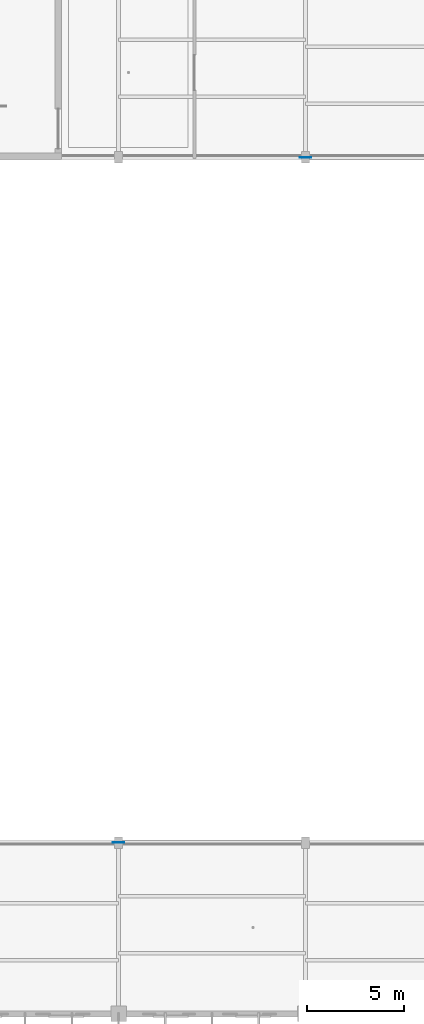
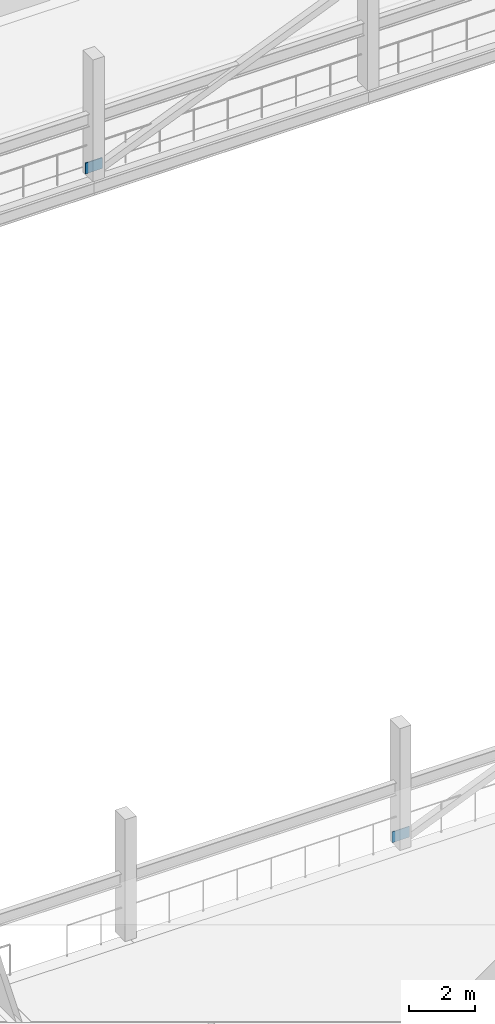
# One storey, part 89 of 114: 2 plates.
"""IFC4 building model written with IfcOpenShell, lengths in metres."""

from ifc_helpers import new_model, si_unit, direction, frame, origin, origin_2d, place, context, subcontext, project, spatial, rectangle, extrude, material, layer, layer_set, type_object, element, save


model = new_model("IFC4")

# Units and contexts
model_context = context("Model", 3, precision=1e-05, world=origin(), true_north=direction((0.0, 1.0)))
body_context = subcontext(model_context, "Body", "Model", "MODEL_VIEW")
ifc_project = project(units=[si_unit("LENGTHUNIT", "METRE"), si_unit("AREAUNIT", "SQUARE_METRE"), si_unit("VOLUMEUNIT", "CUBIC_METRE"), si_unit("PLANEANGLEUNIT", "RADIAN"), si_unit("MASSUNIT", "GRAM", prefix="KILO")], contexts=[model_context])

# Site, building, storey
site_placement = place(None, origin())
site = spatial("IfcSite", under=ifc_project, at=site_placement, CompositionType="ELEMENT")
building_placement = place(site_placement, origin())
building = spatial("IfcBuilding", under=site, at=building_placement, Name="Chalmorin Arch Market", CompositionType="ELEMENT")
storey_placement = place(building_placement, frame((0.0, 0.0, 9.60009765625)))
storey = spatial("IfcBuildingStorey", under=building, at=storey_placement, Name="L02", CompositionType="ELEMENT", Elevation=9.60009765625)

# Plates
ifc_material = material(Name="Steel A572 Grade 50", Category="steel")
ifc_layer = layer(ifc_material, 0.02490234375)
ifc_layer_set = layer_set([ifc_layer], Name="Steel A572 Grade 50")
plate_type = type_object("IfcPlateType", Name="NodeGussetPlate-600x400x25", PredefinedType="SHEET", material=ifc_layer_set)
for number, where, z_axis, x_axis, name in (
    (1, (76.800048828125, 14.800048828125, 0.14990234375), (0.0, 0.0, 1.0), (1.0, 0.0, 0.0), "GP-01-162"),
    (2, (86.39990234375, 50.0, 0.14990234375), (0.0, 0.0, 1.0), (1.0, 0.0, 0.0), "GP-01-164"),
):
    element("IfcPlate", number, at=place(storey_placement, frame(where, z_axis=z_axis, x_axis=x_axis)), inside=storey, type_object=plate_type, Name=name, PredefinedType="SHEET", context=body_context, shape_type="SweptSolid", body=[
        extrude(rectangle(XDim=0.60009765625, YDim=0.02490234375, at=origin_2d()), origin(), (0.0, 0.0, 1.0), 0.39990234375),
    ])

save(model, "model.ifc")
